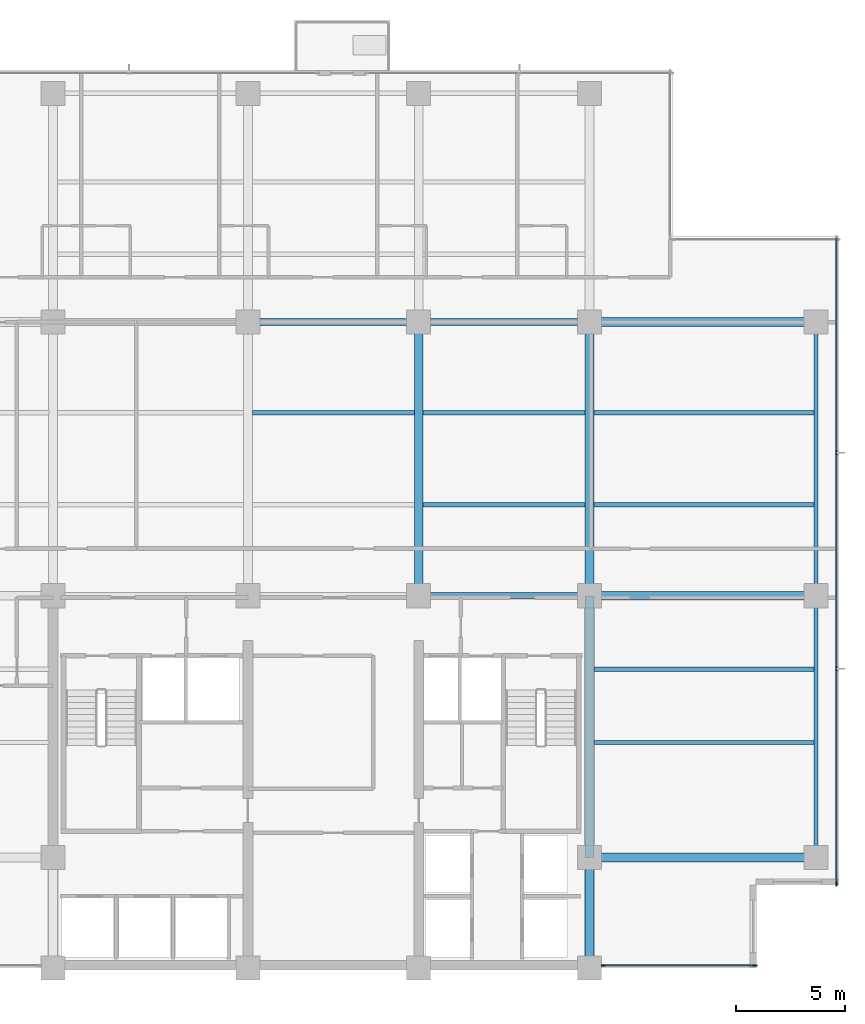
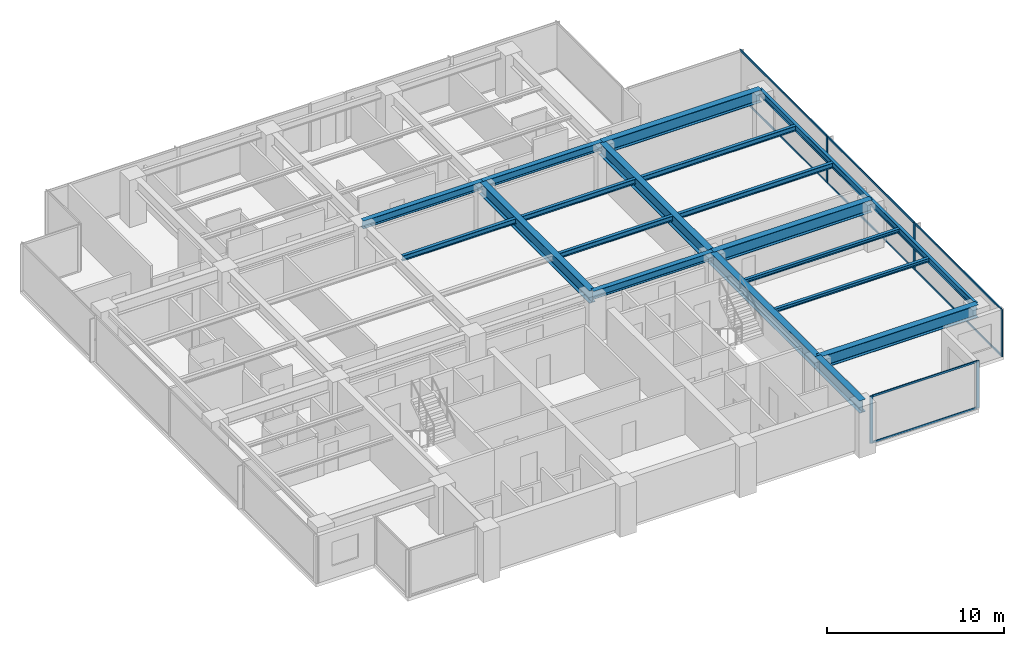
# One storey, part 3 of 15: 19 beams, 13 members, 2 elements without a shape of their own.
"""IFC4 building model written with IfcOpenShell, lengths in metres."""

from ifc_helpers import new_model, si_unit, direction, frame, origin, origin_2d, place, context, subcontext, project, spatial, rectangle, i_section, extrude, material, layer, layer_set, material_profile, profile_set, type_object, element, aggregate, save


model = new_model("IFC4")

# Units and contexts
model_context = context("Model", 3, precision=1e-05, world=origin(), true_north=direction((0.0, 1.0)))
body_context = subcontext(model_context, "Body", "Model", "MODEL_VIEW")
ifc_project = project(units=[si_unit("LENGTHUNIT", "METRE"), si_unit("AREAUNIT", "SQUARE_METRE"), si_unit("VOLUMEUNIT", "CUBIC_METRE"), si_unit("PLANEANGLEUNIT", "RADIAN"), si_unit("MASSUNIT", "GRAM", prefix="KILO")], contexts=[model_context])

# Site, building, storey
site_placement = place(None, origin())
site = spatial("IfcSite", under=ifc_project, at=site_placement, CompositionType="ELEMENT")
building_placement = place(site_placement, origin())
building = spatial("IfcBuilding", under=site, at=building_placement, Name="Qalmaran Belvedere Hotel", CompositionType="ELEMENT")
storey_placement = place(building_placement, frame((0.0, 0.0, 170.10009765625)))
storey = spatial("IfcBuildingStorey", under=building, at=storey_placement, Name="L43", CompositionType="ELEMENT", Elevation=170.10009765625)

# Beams
ifc_material_1 = material(Name="Steel S355JR", Category="steel")
ifc_material_profile_1 = material_profile(ifc_material_1, i_section(OverallWidth=0.201904296875, OverallDepth=0.2470703125, WebThickness=0.00732421875, FlangeThickness=0.010986328125, FilletRadius=0.011962890625, at=origin_2d()), Name="W250X49")
ifc_profile_set_1 = profile_set([ifc_material_profile_1], Name="Steel S355JR")
beam_type_1 = type_object("IfcBeamType", Name="BM-JST-W250X49", PredefinedType="JOIST", material=ifc_profile_set_1)
for number, where, z_axis, x_axis, name in (
    (1, (44.998046875, 13.800048828125, 3.12646484375), (1.0, 0.0, 0.0), (0.0, 1.0, 0.0), "L43 East Wing Joist 039"),
    (2, (44.998046875, 17.14990234375, 3.12646484375), (1.0, 0.0, 0.0), (0.0, 1.0, 0.0), "L43 East Wing Joist 041"),
):
    element("IfcBeam", number, at=place(storey_placement, frame(where, z_axis=z_axis, x_axis=x_axis)), inside=storey, type_object=beam_type_1, Name=name, PredefinedType="JOIST", context=body_context, shape_type="SweptSolid", body=[
        extrude(i_section(OverallWidth=0.201904296875, OverallDepth=0.2470703125, WebThickness=0.00732421875, FlangeThickness=0.010986328125, FilletRadius=0.011962890625, at=origin_2d()), origin(), (0.0, 0.0, 1.0), 10.057861328125),
    ])
ifc_material_profile_2 = material_profile(ifc_material_1, i_section(OverallWidth=0.39990234375, OverallDepth=0.85498046875, WebThickness=0.018310546875, FlangeThickness=0.029296875, FilletRadius=0.02392578125, at=origin_2d()), Name="W840X299")
ifc_profile_set_2 = profile_set([ifc_material_profile_2], Name="Steel S355JR")
beam_type_2 = type_object("IfcBeamType", Name="BM-PG3-W840X299", PredefinedType="USERDEFINED", material=ifc_profile_set_2)
for number, where, z_axis, x_axis, name in (
    (3, (37.0, 20.5, 2.822509765625), (0.0, 1.0, 0.0), (-1.0, 0.0, 0.0), "L43 Mid-Plate N-S Girder 18"),
    (4, (44.800048828125, 20.5, 2.822509765625), (0.0, 1.0, 0.0), (-1.0, 0.0, 0.0), "L43 Mid-Plate N-S Girder 20"),
):
    element("IfcBeam", number, at=place(storey_placement, frame(where, z_axis=z_axis, x_axis=x_axis)), inside=storey, type_object=beam_type_2, Name=name, ObjectType="GIRDER", PredefinedType="USERDEFINED", context=body_context, shape_type="SweptSolid", body=[
        extrude(i_section(OverallWidth=0.39990234375, OverallDepth=0.85498046875, WebThickness=0.018310546875, FlangeThickness=0.029296875, FilletRadius=0.02392578125, at=origin_2d()), origin(), (0.0, 0.0, 1.0), 12.5),
    ])
beam_1_placement = place(storey_placement, frame((44.800048828125, 3.5, 2.822509765625), z_axis=(0.0, 1.0, 0.0), x_axis=(-1.0, 0.0, 0.0)))
element("IfcBeam", 5, at=beam_1_placement, inside=storey, type_object=beam_type_2, Name="L43 East Core Edge Girder A", ObjectType="GIRDER", PredefinedType="USERDEFINED", context=body_context, shape_type="SweptSolid", body=[
    extrude(i_section(OverallWidth=0.39990234375, OverallDepth=0.85498046875, WebThickness=0.018310546875, FlangeThickness=0.029296875, FilletRadius=0.02392578125, at=origin_2d()), origin(), (0.0, 0.0, 1.0), 5.050048828125),
])
beam_2_placement = place(storey_placement, frame((44.800048828125, 8.550048828125, 2.822509765625), z_axis=(0.0, 1.0, 0.0), x_axis=(-1.0, 0.0, 0.0)))
element("IfcBeam", 6, at=beam_2_placement, inside=storey, type_object=beam_type_2, Name="L43 East Core Edge Girder B", ObjectType="GIRDER", PredefinedType="USERDEFINED", context=body_context, shape_type="SweptSolid", body=[
    extrude(i_section(OverallWidth=0.39990234375, OverallDepth=0.85498046875, WebThickness=0.018310546875, FlangeThickness=0.029296875, FilletRadius=0.02392578125, at=origin_2d()), origin(), (0.0, 0.0, 1.0), 11.949951171875),
])
for number, where, z_axis, x_axis, name in (
    (7, (44.800048828125, 8.550048828125, 2.822509765625), (1.0, 0.0, 0.0), (0.0, 1.0, 0.0), "L43 East Wing Girder 25"),
    (8, (44.800048828125, 20.5, 2.822509765625), (1.0, 0.0, 0.0), (0.0, 1.0, 0.0), "L43 East Wing Girder 26"),
    (9, (44.800048828125, 33.0, 2.822509765625), (1.0, 0.0, 0.0), (0.0, 1.0, 0.0), "L43 East Wing Girder 27"),
):
    element("IfcBeam", number, at=place(storey_placement, frame(where, z_axis=z_axis, x_axis=x_axis)), inside=storey, type_object=beam_type_2, Name=name, ObjectType="GIRDER", PredefinedType="USERDEFINED", context=body_context, shape_type="SweptSolid", body=[
        extrude(i_section(OverallWidth=0.39990234375, OverallDepth=0.85498046875, WebThickness=0.018310546875, FlangeThickness=0.029296875, FilletRadius=0.02392578125, at=origin_2d()), origin(), (0.0, 0.0, 1.0), 10.349853515625),
    ])
ifc_material_profile_3 = material_profile(ifc_material_1, i_section(OverallWidth=0.205078125, OverallDepth=0.35400390625, WebThickness=0.009521484375, FlangeThickness=0.016845703125, FilletRadius=0.014892578125, at=origin_2d()), Name="W360X79")
ifc_profile_set_3 = profile_set([ifc_material_profile_3], Name="Steel S355JR")
beam_type_3 = type_object("IfcBeamType", Name="BM-SB3-W360X79", PredefinedType="BEAM", material=ifc_profile_set_3)
beam_3_placement = place(storey_placement, frame((37.197998046875, 24.64990234375, 3.072998046875), z_axis=(1.0, 0.0, 0.0), x_axis=(0.0, 1.0, 0.0)))
element("IfcBeam", 10, at=beam_3_placement, inside=storey, type_object=beam_type_3, Name="L43 Secondary Floor Beam 031", PredefinedType="BEAM", context=body_context, shape_type="SweptSolid", body=[
    extrude(i_section(OverallWidth=0.205078125, OverallDepth=0.35400390625, WebThickness=0.009521484375, FlangeThickness=0.016845703125, FilletRadius=0.014892578125, at=origin_2d()), origin(), (0.0, 0.0, 1.0), 7.404052734375),
])
beam_4_placement = place(storey_placement, frame((44.998046875, 24.64990234375, 3.072998046875), z_axis=(1.0, 0.0, 0.0), x_axis=(0.0, 1.0, 0.0)))
element("IfcBeam", 11, at=beam_4_placement, inside=storey, type_object=beam_type_3, Name="L43 East Secondary Beam 032", PredefinedType="BEAM", context=body_context, shape_type="SweptSolid", body=[
    extrude(i_section(OverallWidth=0.205078125, OverallDepth=0.35400390625, WebThickness=0.009521484375, FlangeThickness=0.016845703125, FilletRadius=0.014892578125, at=origin_2d()), origin(), (0.0, 0.0, 1.0), 10.057861328125),
])
for number, where, z_axis, x_axis, name in (
    (12, (29.39794921875, 28.85009765625, 3.072998046875), (1.0, 0.0, 0.0), (0.0, 1.0, 0.0), "L43 Secondary Floor Beam 035"),
    (13, (37.197998046875, 28.85009765625, 3.072998046875), (1.0, 0.0, 0.0), (0.0, 1.0, 0.0), "L43 Secondary Floor Beam 036"),
):
    element("IfcBeam", number, at=place(storey_placement, frame(where, z_axis=z_axis, x_axis=x_axis)), inside=storey, type_object=beam_type_3, Name=name, PredefinedType="BEAM", context=body_context, shape_type="SweptSolid", body=[
        extrude(i_section(OverallWidth=0.205078125, OverallDepth=0.35400390625, WebThickness=0.009521484375, FlangeThickness=0.016845703125, FilletRadius=0.014892578125, at=origin_2d()), origin(), (0.0, 0.0, 1.0), 7.404052734375),
    ])
beam_5_placement = place(storey_placement, frame((44.998046875, 28.85009765625, 3.072998046875), z_axis=(1.0, 0.0, 0.0), x_axis=(0.0, 1.0, 0.0)))
element("IfcBeam", 14, at=beam_5_placement, inside=storey, type_object=beam_type_3, Name="L43 East Secondary Beam 037", PredefinedType="BEAM", context=body_context, shape_type="SweptSolid", body=[
    extrude(i_section(OverallWidth=0.205078125, OverallDepth=0.35400390625, WebThickness=0.009521484375, FlangeThickness=0.016845703125, FilletRadius=0.014892578125, at=origin_2d()), origin(), (0.0, 0.0, 1.0), 10.057861328125),
])
ifc_material_profile_4 = material_profile(ifc_material_1, i_section(OverallWidth=0.19189453125, OverallDepth=0.462890625, WebThickness=0.010498046875, FlangeThickness=0.017578125, FilletRadius=0.01611328125, at=origin_2d()), Name="W460X89")
ifc_profile_set_4 = profile_set([ifc_material_profile_4], Name="Steel S355JR")
beam_type_4 = type_object("IfcBeamType", Name="BM-SP2-W460X89", PredefinedType="SPANDREL", material=ifc_profile_set_4)
beam_6_placement = place(storey_placement, frame((55.14990234375, 8.550048828125, 3.018310546875), z_axis=(0.0, 1.0, 0.0), x_axis=(-1.0, 0.0, 0.0)))
element("IfcBeam", 15, at=beam_6_placement, inside=storey, type_object=beam_type_4, Name="L43 Perimeter Spandrel 03", PredefinedType="SPANDREL", context=body_context, shape_type="SweptSolid", body=[
    extrude(i_section(OverallWidth=0.19189453125, OverallDepth=0.462890625, WebThickness=0.010498046875, FlangeThickness=0.017578125, FilletRadius=0.01611328125, at=origin_2d()), origin(), (0.0, 0.0, 1.0), 11.949951171875),
])
beam_7_placement = place(storey_placement, frame((55.14990234375, 20.5, 3.018310546875), z_axis=(0.0, 1.0, 0.0), x_axis=(-1.0, 0.0, 0.0)))
element("IfcBeam", 16, at=beam_7_placement, inside=storey, type_object=beam_type_4, Name="L43 Perimeter Spandrel 04", PredefinedType="SPANDREL", context=body_context, shape_type="SweptSolid", body=[
    extrude(i_section(OverallWidth=0.19189453125, OverallDepth=0.462890625, WebThickness=0.010498046875, FlangeThickness=0.017578125, FilletRadius=0.01611328125, at=origin_2d()), origin(), (0.0, 0.0, 1.0), 12.5),
])
ifc_material_profile_5 = material_profile(ifc_material_1, i_section(OverallWidth=0.31201171875, OverallDepth=0.54296875, WebThickness=0.0126953125, FlangeThickness=0.020263671875, FilletRadius=0.01806640625, at=origin_2d()), Name="W530X150")
ifc_profile_set_5 = profile_set([ifc_material_profile_5], Name="Steel S355JR")
beam_type_5 = type_object("IfcBeamType", Name="BM-Z3-W530X150", PredefinedType="USERDEFINED", material=ifc_profile_set_5)
for number, where, z_axis, x_axis, name in (
    (17, (37.0, 20.5, 2.978515625), (1.0, 0.0, 0.0), (0.0, 1.0, 0.0), "L43 Interior E-W Girder 10"),
    (18, (29.199951171875, 33.0, 2.978515625), (1.0, 0.0, 0.0), (0.0, 1.0, 0.0), "L43 Interior E-W Girder 12"),
    (19, (37.0, 33.0, 2.978515625), (1.0, 0.0, 0.0), (0.0, 1.0, 0.0), "L43 Interior E-W Girder 13"),
):
    element("IfcBeam", number, at=place(storey_placement, frame(where, z_axis=z_axis, x_axis=x_axis)), inside=storey, type_object=beam_type_5, Name=name, ObjectType="GIRDER", PredefinedType="USERDEFINED", context=body_context, shape_type="SweptSolid", body=[
        extrude(i_section(OverallWidth=0.31201171875, OverallDepth=0.54296875, WebThickness=0.0126953125, FlangeThickness=0.020263671875, FilletRadius=0.01806640625, at=origin_2d()), origin(), (0.0, 0.0, 1.0), 7.800048828125),
    ])

# Curtain wall, members
ifc_material_2 = material(Name="Anodised Bronze Aluminium", Category="aluminium")
ifc_layer = layer(ifc_material_2, 0.195068359375, Name="Anodised Bronze Aluminium")
ifc_layer_set = layer_set([ifc_layer], Name="Anodised Bronze Aluminium")
curtain_wall_type = type_object("IfcCurtainWallType", Name="CW4-TOWER-HIGHMID", PredefinedType="NOTDEFINED", material=ifc_layer_set)
curtain_wall_1_placement = place(storey_placement, origin())
curtain_wall_1 = element("IfcCurtainWall", 20, at=curtain_wall_1_placement, inside=storey, type_object=curtain_wall_type, Name="L43 Curtain Wall CW4", PredefinedType="NOTDEFINED")
ifc_material_profile_6 = material_profile(ifc_material_2, rectangle(XDim=0.070068359375, YDim=0.18994140625, at=origin_2d()), Name="CWM70X190")
ifc_profile_set_6 = profile_set([ifc_material_profile_6], Name="Anodised Bronze Aluminium")
member_type_1 = type_object("IfcMemberType", Name="CWM-70X190", PredefinedType="MULLION", material=ifc_profile_set_6)
member_1_placement = place(storey_placement, frame((45.425048828125, 3.6201171875, 0.0), z_axis=(0.0, 0.0, 1.0), x_axis=(0.0, 1.0, 0.0)))
member_1 = element("IfcMember", 21, at=member_1_placement, type_object=member_type_1, Name="CW4 mullion 1", PredefinedType="MULLION", context=body_context, shape_type="SweptSolid", body=[
    extrude(rectangle(XDim=0.070068359375, YDim=0.18994140625, at=origin_2d()), origin(), (0.0, 0.0, 1.0), 3.25),
])
member_2_placement = place(storey_placement, frame((52.364990234375, 3.6201171875, 0.0), z_axis=(0.0, 0.0, 1.0), x_axis=(0.0, 1.0, 0.0)))
member_2 = element("IfcMember", 22, at=member_2_placement, type_object=member_type_1, Name="CW4 mullion 2", PredefinedType="MULLION", context=body_context, shape_type="SweptSolid", body=[
    extrude(rectangle(XDim=0.070068359375, YDim=0.18994140625, at=origin_2d()), origin(), (0.0, 0.0, 1.0), 3.25),
])

curtain_wall_2_placement = place(storey_placement, origin())
curtain_wall_2 = element("IfcCurtainWall", 23, at=curtain_wall_2_placement, inside=storey, type_object=curtain_wall_type, Name="L43 Curtain Wall CW4", PredefinedType="NOTDEFINED")
member_3_placement = place(storey_placement, frame((56.080078125, 7.3349609375, 0.0), z_axis=(0.0, 0.0, 1.0), x_axis=(-1.0, 0.0, 0.0)))
member_3 = element("IfcMember", 24, at=member_3_placement, type_object=member_type_1, Name="CW4 mullion 1", PredefinedType="MULLION", context=body_context, shape_type="SweptSolid", body=[
    extrude(rectangle(XDim=0.070068359375, YDim=0.18994140625, at=origin_2d()), origin(), (0.0, 0.0, 1.0), 3.25),
])
member_4_placement = place(storey_placement, frame((56.080078125, 17.166748046875, 0.0), z_axis=(0.0, 0.0, 1.0), x_axis=(-1.0, 0.0, 0.0)))
member_4 = element("IfcMember", 25, at=member_4_placement, type_object=member_type_1, Name="CW4 mullion 2", PredefinedType="MULLION", context=body_context, shape_type="SweptSolid", body=[
    extrude(rectangle(XDim=0.070068359375, YDim=0.18994140625, at=origin_2d()), origin(), (0.0, 0.0, 1.0), 3.25),
])
member_5_placement = place(storey_placement, frame((56.080078125, 27.033447265625, 0.0), z_axis=(0.0, 0.0, 1.0), x_axis=(-1.0, 0.0, 0.0)))
member_5 = element("IfcMember", 26, at=member_5_placement, type_object=member_type_1, Name="CW4 mullion 3", PredefinedType="MULLION", context=body_context, shape_type="SweptSolid", body=[
    extrude(rectangle(XDim=0.070068359375, YDim=0.18994140625, at=origin_2d()), origin(), (0.0, 0.0, 1.0), 3.25),
])

# Member
ifc_material_profile_7 = material_profile(ifc_material_2, rectangle(XDim=0.06494140625, YDim=0.1298828125, at=origin_2d()), Name="CWT65X130")
ifc_profile_set_7 = profile_set([ifc_material_profile_7], Name="Anodised Bronze Aluminium")
member_type_2 = type_object("IfcMemberType", Name="CWT-65X130", PredefinedType="USERDEFINED", material=ifc_profile_set_7)
member_6_placement = place(storey_placement, frame((45.4599609375, 3.6201171875, 0.032470703125), z_axis=(1.0, 0.0, 0.0), x_axis=(0.0, 1.0, 0.0)))
member_6 = element("IfcMember", 27, at=member_6_placement, type_object=member_type_2, Name="CW4 transom 1.1", ObjectType="TRANSOM", PredefinedType="USERDEFINED", context=body_context, shape_type="SweptSolid", body=[
    extrude(rectangle(XDim=0.06494140625, YDim=0.1298828125, at=origin_2d()), origin(), (0.0, 0.0, 1.0), 6.8701171875),
])

member_7_placement = place(storey_placement, frame((45.4599609375, 3.6201171875, 3.21728515625), z_axis=(1.0, 0.0, 0.0), x_axis=(0.0, 1.0, 0.0)))
member_7 = element("IfcMember", 28, at=member_7_placement, type_object=member_type_2, Name="CW4 transom 1.2", ObjectType="TRANSOM", PredefinedType="USERDEFINED", context=body_context, shape_type="SweptSolid", body=[
    extrude(rectangle(XDim=0.06494140625, YDim=0.1298828125, at=origin_2d()), origin(), (0.0, 0.0, 1.0), 6.8701171875),
])

aggregate(curtain_wall_1, [member_1, member_2, member_6, member_7])

member_8_placement = place(storey_placement, frame((56.080078125, 7.3701171875, 0.032470703125), z_axis=(0.0, 1.0, 0.0), x_axis=(-1.0, 0.0, 0.0)))
member_8 = element("IfcMember", 29, at=member_8_placement, type_object=member_type_2, Name="CW4 transom 1.1", ObjectType="TRANSOM", PredefinedType="USERDEFINED", context=body_context, shape_type="SweptSolid", body=[
    extrude(rectangle(XDim=0.06494140625, YDim=0.1298828125, at=origin_2d()), origin(), (0.0, 0.0, 1.0), 9.761474609375),
])

member_9_placement = place(storey_placement, frame((56.080078125, 7.3701171875, 3.21728515625), z_axis=(0.0, 1.0, 0.0), x_axis=(-1.0, 0.0, 0.0)))
member_9 = element("IfcMember", 30, at=member_9_placement, type_object=member_type_2, Name="CW4 transom 1.2", ObjectType="TRANSOM", PredefinedType="USERDEFINED", context=body_context, shape_type="SweptSolid", body=[
    extrude(rectangle(XDim=0.06494140625, YDim=0.1298828125, at=origin_2d()), origin(), (0.0, 0.0, 1.0), 9.761474609375),
])

member_10_placement = place(storey_placement, frame((56.080078125, 17.20166015625, 0.032470703125), z_axis=(0.0, 1.0, 0.0), x_axis=(-1.0, 0.0, 0.0)))
member_10 = element("IfcMember", 31, at=member_10_placement, type_object=member_type_2, Name="CW4 transom 2.1", ObjectType="TRANSOM", PredefinedType="USERDEFINED", context=body_context, shape_type="SweptSolid", body=[
    extrude(rectangle(XDim=0.06494140625, YDim=0.1298828125, at=origin_2d()), origin(), (0.0, 0.0, 1.0), 9.796630859375),
])

member_11_placement = place(storey_placement, frame((56.080078125, 17.20166015625, 3.21728515625), z_axis=(0.0, 1.0, 0.0), x_axis=(-1.0, 0.0, 0.0)))
member_11 = element("IfcMember", 32, at=member_11_placement, type_object=member_type_2, Name="CW4 transom 2.2", ObjectType="TRANSOM", PredefinedType="USERDEFINED", context=body_context, shape_type="SweptSolid", body=[
    extrude(rectangle(XDim=0.06494140625, YDim=0.1298828125, at=origin_2d()), origin(), (0.0, 0.0, 1.0), 9.796630859375),
])

member_12_placement = place(storey_placement, frame((56.080078125, 27.068359375, 0.032470703125), z_axis=(0.0, 1.0, 0.0), x_axis=(-1.0, 0.0, 0.0)))
member_12 = element("IfcMember", 33, at=member_12_placement, type_object=member_type_2, Name="CW4 transom 3.1", ObjectType="TRANSOM", PredefinedType="USERDEFINED", context=body_context, shape_type="SweptSolid", body=[
    extrude(rectangle(XDim=0.06494140625, YDim=0.1298828125, at=origin_2d()), origin(), (0.0, 0.0, 1.0), 9.76171875),
])

member_13_placement = place(storey_placement, frame((56.080078125, 27.068359375, 3.21728515625), z_axis=(0.0, 1.0, 0.0), x_axis=(-1.0, 0.0, 0.0)))
member_13 = element("IfcMember", 34, at=member_13_placement, type_object=member_type_2, Name="CW4 transom 3.2", ObjectType="TRANSOM", PredefinedType="USERDEFINED", context=body_context, shape_type="SweptSolid", body=[
    extrude(rectangle(XDim=0.06494140625, YDim=0.1298828125, at=origin_2d()), origin(), (0.0, 0.0, 1.0), 9.76171875),
])

aggregate(curtain_wall_2, [member_3, member_4, member_5, member_8, member_9, member_10, member_11, member_12, member_13])

save(model, "model.ifc")
